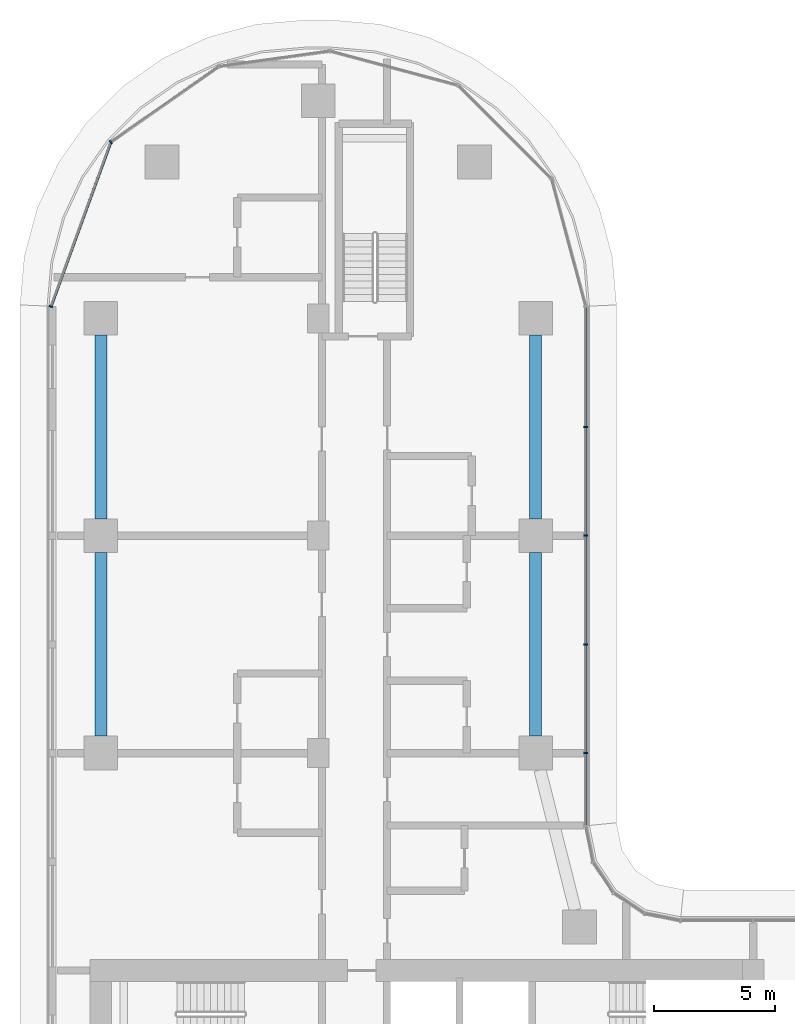
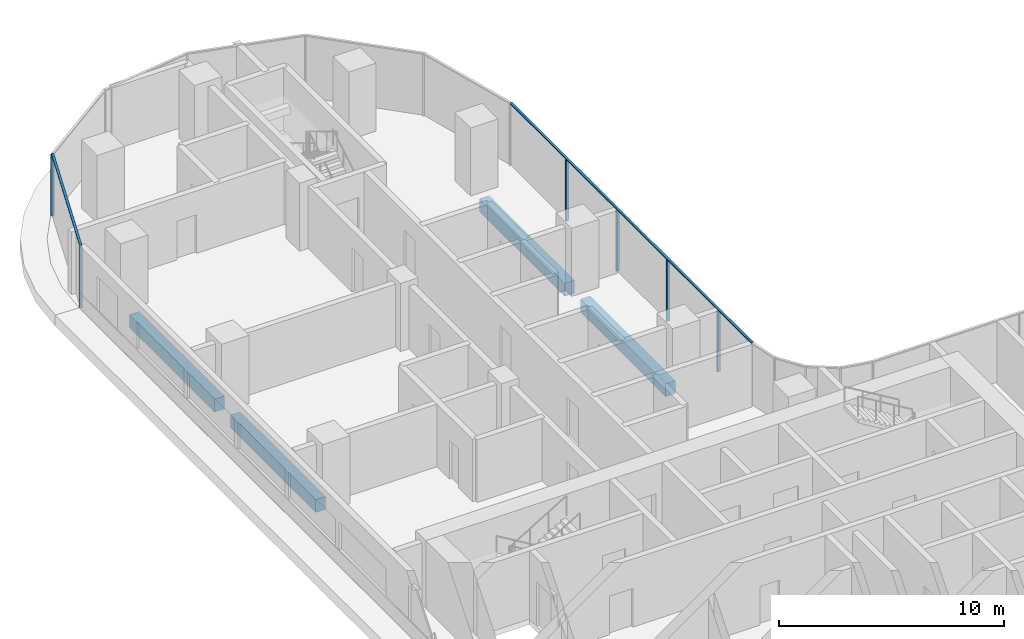
# One storey, part 6 of 36: 8 members, 4 beams, 2 elements without a shape of their own.
"""IFC4 building model written with IfcOpenShell, lengths in metres."""

from ifc_helpers import new_model, si_unit, direction, frame, origin, origin_2d, place, context, subcontext, project, spatial, rectangle, extrude, material, material_profile, profile_set, type_object, element, aggregate, save


model = new_model("IFC4")

# Units and contexts
model_context = context("Model", 3, precision=1e-05, world=origin(), true_north=direction((0.0, 1.0)))
body_context = subcontext(model_context, "Body", "Model", "MODEL_VIEW")
ifc_project = project(units=[si_unit("LENGTHUNIT", "METRE"), si_unit("AREAUNIT", "SQUARE_METRE"), si_unit("VOLUMEUNIT", "CUBIC_METRE"), si_unit("PLANEANGLEUNIT", "RADIAN"), si_unit("MASSUNIT", "GRAM", prefix="KILO")], contexts=[model_context])

# Site, building, storey
site_placement = place(None, origin())
site = spatial("IfcSite", under=ifc_project, at=site_placement, CompositionType="ELEMENT")
building_placement = place(site_placement, origin())
building = spatial("IfcBuilding", under=site, at=building_placement, Name="Ogive Portal Towers", CompositionType="ELEMENT")
storey_placement = place(building_placement, frame((0.0, 0.0, 52.0)))
storey = spatial("IfcBuildingStorey", under=building, at=storey_placement, Name="L11", CompositionType="ELEMENT", Elevation=52.0)

# Curtain wall, members
ifc_material_1 = material(Name="Glass, clear low-iron insulated glazing", Category="glass")
curtain_wall_type = type_object("IfcCurtainWallType", Name="CW FRONT RIBBON 4500", PredefinedType="NOTDEFINED", material=ifc_material_1)
curtain_wall_1_placement = place(storey_placement, origin())
curtain_wall_1 = element("IfcCurtainWall", 1, at=curtain_wall_1_placement, inside=storey, type_object=curtain_wall_type, Name="A:L11:f21:cw0", PredefinedType="NOTDEFINED")
ifc_material_2 = material(Name="Aluminium 6063 anodised", Category="aluminium")
ifc_material_profile_1 = material_profile(ifc_material_2, rectangle(XDim=0.159912109375, YDim=0.06005859375, at=origin_2d()), Name="AL 60x160")
ifc_profile_set_1 = profile_set([ifc_material_profile_1], Name="Aluminium 6063 anodised")
member_type_1 = type_object("IfcMemberType", Name="CW MULLION 60x160", PredefinedType="MULLION", material=ifc_profile_set_1)
member_1_placement = place(storey_placement, frame((51.56494140625, 48.5, 0.0), z_axis=(0.0, 0.0, 1.0), x_axis=(-1.0, 0.0, 0.0)))
member_1 = element("IfcMember", 2, at=member_1_placement, type_object=member_type_1, Name="mullion", PredefinedType="MULLION", context=body_context, shape_type="SweptSolid", body=[
    extrude(rectangle(XDim=0.159912109375, YDim=0.06005859375, at=origin_2d()), origin(), (0.0, 0.0, 1.0), 3.340087890625),
])
member_2_placement = place(storey_placement, frame((51.56494140625, 53.0, 0.0), z_axis=(0.0, 0.0, 1.0), x_axis=(-1.0, 0.0, 0.0)))
member_2 = element("IfcMember", 3, at=member_2_placement, type_object=member_type_1, Name="mullion", PredefinedType="MULLION", context=body_context, shape_type="SweptSolid", body=[
    extrude(rectangle(XDim=0.159912109375, YDim=0.06005859375, at=origin_2d()), origin(), (0.0, 0.0, 1.0), 3.340087890625),
])
member_3_placement = place(storey_placement, frame((51.56494140625, 57.5, 0.0), z_axis=(0.0, 0.0, 1.0), x_axis=(-1.0, 0.0, 0.0)))
member_3 = element("IfcMember", 4, at=member_3_placement, type_object=member_type_1, Name="mullion", PredefinedType="MULLION", context=body_context, shape_type="SweptSolid", body=[
    extrude(rectangle(XDim=0.159912109375, YDim=0.06005859375, at=origin_2d()), origin(), (0.0, 0.0, 1.0), 3.340087890625),
])
member_4_placement = place(storey_placement, frame((51.56494140625, 62.0, 0.0), z_axis=(0.0, 0.0, 1.0), x_axis=(-1.0, 0.0, 0.0)))
member_4 = element("IfcMember", 5, at=member_4_placement, type_object=member_type_1, Name="mullion", PredefinedType="MULLION", context=body_context, shape_type="SweptSolid", body=[
    extrude(rectangle(XDim=0.159912109375, YDim=0.06005859375, at=origin_2d()), origin(), (0.0, 0.0, 1.0), 3.340087890625),
])

curtain_wall_2_placement = place(storey_placement, origin())
curtain_wall_2 = element("IfcCurtainWall", 6, at=curtain_wall_2_placement, inside=storey, type_object=curtain_wall_type, Name="A:L11:f22:cwa", PredefinedType="NOTDEFINED")
member_5_placement = place(storey_placement, frame((31.912109375, 73.79150390625, 0.0), z_axis=(0.0, 0.0, 1.0), x_axis=(0.573576436351, -0.819152044289, 0.0)))
member_5 = element("IfcMember", 7, at=member_5_placement, type_object=member_type_1, Name="mullion", PredefinedType="MULLION", context=body_context, shape_type="SweptSolid", body=[
    extrude(rectangle(XDim=0.159912109375, YDim=0.06005859375, at=origin_2d()), origin(), (0.0, 0.0, 1.0), 3.340087890625),
])
member_6_placement = place(storey_placement, frame((29.43505859375, 66.98583984375, 0.0), z_axis=(0.0, 0.0, 1.0), x_axis=(0.939692620786, -0.342020143326, 0.0)))
member_6 = element("IfcMember", 8, at=member_6_placement, type_object=member_type_1, Name="mullion", PredefinedType="MULLION", context=body_context, shape_type="SweptSolid", body=[
    extrude(rectangle(XDim=0.159912109375, YDim=0.06005859375, at=origin_2d()), origin(), (0.0, 0.0, 1.0), 3.340087890625),
])

# Member
ifc_material_profile_2 = material_profile(ifc_material_2, rectangle(XDim=0.1201171875, YDim=0.06005859375, at=origin_2d()), Name="AL 120x60")
ifc_profile_set_2 = profile_set([ifc_material_profile_2], Name="Aluminium 6063 anodised")
member_type_2 = type_object("IfcMemberType", Name="CW TRANSOM 60x120", PredefinedType="USERDEFINED", material=ifc_profile_set_2)
member_7_placement = place(storey_placement, frame((51.56494140625, 45.4921875, 3.3701171875), z_axis=(0.0, 1.0, 0.0), x_axis=(-1.0, 0.0, 0.0)))
member_7 = element("IfcMember", 9, at=member_7_placement, type_object=member_type_2, Name="transom", ObjectType="TRANSOM", PredefinedType="USERDEFINED", context=body_context, shape_type="SweptSolid", body=[
    extrude(rectangle(XDim=0.1201171875, YDim=0.06005859375, at=origin_2d()), origin(), (0.0, 0.0, 1.0), 21.497314453125),
])

aggregate(curtain_wall_1, [member_7, member_1, member_2, member_3, member_4])

member_8_placement = place(storey_placement, frame((31.912109375, 73.79150390625, 3.3701171875), z_axis=(-0.342019123812, -0.939692991858, 0.0), x_axis=(0.939692991858, -0.342019123812, 0.0)))
member_8 = element("IfcMember", 10, at=member_8_placement, type_object=member_type_2, Name="transom", ObjectType="TRANSOM", PredefinedType="USERDEFINED", context=body_context, shape_type="SweptSolid", body=[
    extrude(rectangle(XDim=0.1201171875, YDim=0.06005859375, at=origin_2d()), origin(), (0.0, 0.0, 1.0), 7.242431640625),
])

aggregate(curtain_wall_2, [member_8, member_5, member_6])

# Beams
ifc_material_3 = material(Name="Concrete C40/50", Category="concrete")
ifc_material_profile_3 = material_profile(ifc_material_3, rectangle(XDim=0.5, YDim=0.699951171875, at=origin_2d()), Name="RC 500x700")
ifc_profile_set_3 = profile_set([ifc_material_profile_3], Name="Concrete C40/50")
beam_type = type_object("IfcBeamType", Name="SPANDREL BEAM RC 500x700", PredefinedType="BEAM", material=ifc_profile_set_3)
for number, where, z_axis, x_axis, name in (
    (11, (31.5, 49.199951171875, -0.64990234375), (0.0, 1.0, 0.0), (-1.0, 0.0, 0.0), "Spandrel beam L11"),
    (12, (31.5, 58.199951171875, -0.64990234375), (0.0, 1.0, 0.0), (-1.0, 0.0, 0.0), "Spandrel beam L11"),
    (13, (49.5, 65.800048828125, -0.64990234375), (0.0, -1.0, 0.0), (1.0, 0.0, 0.0), "Spandrel beam L11"),
    (14, (49.5, 56.800048828125, -0.64990234375), (0.0, -1.0, 0.0), (1.0, 0.0, 0.0), "Spandrel beam L11"),
):
    element("IfcBeam", number, at=place(storey_placement, frame(where, z_axis=z_axis, x_axis=x_axis)), inside=storey, type_object=beam_type, Name=name, PredefinedType="BEAM", context=body_context, shape_type="SweptSolid", body=[
        extrude(rectangle(XDim=0.5, YDim=0.699951171875, at=origin_2d()), origin(), (0.0, 0.0, 1.0), 7.60009765625),
    ])

save(model, "model.ifc")
